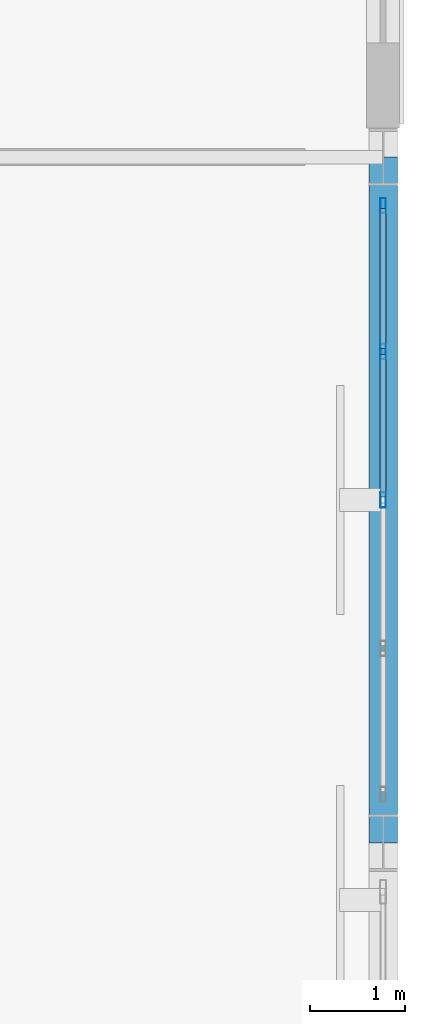
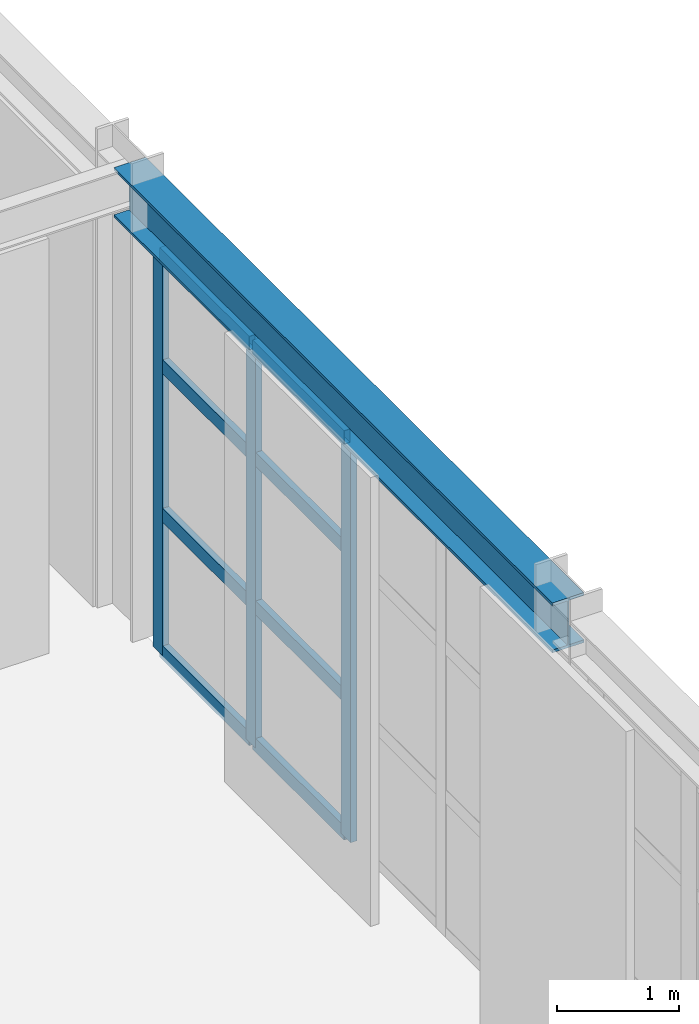
# One storey, part 47 of 83: 11 members, 1 beam, 1 element without a shape of its own.
"""IFC4 building model written with IfcOpenShell, lengths in metres."""

from ifc_helpers import new_model, si_unit, direction, frame, origin, origin_2d, place, context, subcontext, project, spatial, hollow_rectangle, i_section, extrude, material, layer, layer_set, material_profile, profile_set, type_object, element, aggregate, save


model = new_model("IFC4")

# Units and contexts
model_context = context("Model", 3, precision=1e-05, world=origin(), true_north=direction((0.0, 1.0)))
body_context = subcontext(model_context, "Body", "Model", "MODEL_VIEW")
ifc_project = project(units=[si_unit("LENGTHUNIT", "METRE"), si_unit("AREAUNIT", "SQUARE_METRE"), si_unit("VOLUMEUNIT", "CUBIC_METRE"), si_unit("PLANEANGLEUNIT", "RADIAN"), si_unit("MASSUNIT", "GRAM", prefix="KILO")], contexts=[model_context])

# Site, building, storey
site_placement = place(None, origin())
site = spatial("IfcSite", under=ifc_project, at=site_placement, CompositionType="ELEMENT")
building_placement = place(site_placement, origin())
building = spatial("IfcBuilding", under=site, at=building_placement, Name="Solvadek Multi-Sports Hall", CompositionType="ELEMENT")
storey_placement = place(building_placement, origin())
storey = spatial("IfcBuildingStorey", under=building, at=storey_placement, Name="L00", CompositionType="ELEMENT", Elevation=0.0)

# Curtain wall, members
ifc_material_1 = material(Name="Anodised aluminium", Category="aluminium")
ifc_layer = layer(ifc_material_1, 0.159912109375, Name="Anodised aluminium")
ifc_layer_set = layer_set([ifc_layer], Name="Anodised aluminium")
curtain_wall_type = type_object("IfcCurtainWallType", Name="ENV-CW-624X403", PredefinedType="USERDEFINED", material=ifc_layer_set)
curtain_wall_placement = place(storey_placement, origin())
curtain_wall = element("IfcCurtainWall", 1, at=curtain_wall_placement, inside=storey, type_object=curtain_wall_type, Name="L00 Perimeter Bay Curtain Wall #148", ObjectType="CURTAIN WALL", PredefinedType="USERDEFINED")
ifc_material_profile_1 = material_profile(ifc_material_1, hollow_rectangle(XDim=0.06005859375, YDim=0.159912109375, WallThickness=0.00390625, at=origin_2d()), Name="ALU-M 160x60x4")
ifc_profile_set_1 = profile_set([ifc_material_profile_1], Name="Anodised aluminium")
member_type_1 = type_object("IfcMemberType", Name="ENV-CWM-01", PredefinedType="MULLION", material=ifc_profile_set_1)
member_1_placement = place(storey_placement, frame((161.39990234375, 60.0, 0.0), z_axis=(0.0, 0.0, 1.0), x_axis=(-1.0, 0.0, 0.0)))
member_1 = element("IfcMember", 2, at=member_1_placement, type_object=member_type_1, Name="CW-43 mullion 3", PredefinedType="MULLION", context=body_context, shape_type="SweptSolid", body=[
    extrude(hollow_rectangle(XDim=0.06005859375, YDim=0.159912109375, WallThickness=0.00390625, at=origin_2d()), origin(), (0.0, 0.0, 1.0), 4.02490234375),
])
member_2_placement = place(storey_placement, frame((161.39990234375, 61.56005859375, 0.0), z_axis=(0.0, 0.0, 1.0), x_axis=(-1.0, 0.0, 0.0)))
member_2 = element("IfcMember", 3, at=member_2_placement, type_object=member_type_1, Name="CW-43 mullion 4", PredefinedType="MULLION", context=body_context, shape_type="SweptSolid", body=[
    extrude(hollow_rectangle(XDim=0.06005859375, YDim=0.159912109375, WallThickness=0.00390625, at=origin_2d()), origin(), (0.0, 0.0, 1.0), 4.02490234375),
])
member_3_placement = place(storey_placement, frame((161.39990234375, 63.090087890625, 0.0), z_axis=(0.0, 0.0, 1.0), x_axis=(-1.0, 0.0, 0.0)))
member_3 = element("IfcMember", 4, at=member_3_placement, type_object=member_type_1, Name="CW-43 mullion 5", PredefinedType="MULLION", context=body_context, shape_type="SweptSolid", body=[
    extrude(hollow_rectangle(XDim=0.06005859375, YDim=0.159912109375, WallThickness=0.00390625, at=origin_2d()), origin(), (0.0, 0.0, 1.0), 4.02490234375),
])
ifc_material_profile_2 = material_profile(ifc_material_1, hollow_rectangle(XDim=0.06005859375, YDim=0.139892578125, WallThickness=0.00390625, at=origin_2d()), Name="ALU-T 140x60x4")
ifc_profile_set_2 = profile_set([ifc_material_profile_2], Name="Anodised aluminium")
member_type_2 = type_object("IfcMemberType", Name="ENV-CWT-02", PredefinedType="USERDEFINED", material=ifc_profile_set_2)
member_4_placement = place(storey_placement, frame((161.39990234375, 60.030029296875, 0.030029296875), z_axis=(0.0, 1.0, 0.0), x_axis=(-1.0, 0.0, 0.0)))
member_4 = element("IfcMember", 5, at=member_4_placement, type_object=member_type_2, Name="CW-43 transom 3.1", ObjectType="TRANSOM", PredefinedType="USERDEFINED", context=body_context, shape_type="SweptSolid", body=[
    extrude(hollow_rectangle(XDim=0.06005859375, YDim=0.139892578125, WallThickness=0.00390625, at=origin_2d()), origin(), (0.0, 0.0, 1.0), 1.5),
])
member_5_placement = place(storey_placement, frame((161.39990234375, 60.030029296875, 1.408935546875), z_axis=(0.0, 1.0, 0.0), x_axis=(-1.0, 0.0, 0.0)))
member_5 = element("IfcMember", 6, at=member_5_placement, type_object=member_type_2, Name="CW-43 transom 3.2", ObjectType="TRANSOM", PredefinedType="USERDEFINED", context=body_context, shape_type="SweptSolid", body=[
    extrude(hollow_rectangle(XDim=0.06005859375, YDim=0.139892578125, WallThickness=0.00390625, at=origin_2d()), origin(), (0.0, 0.0, 1.0), 1.5),
])
member_6_placement = place(storey_placement, frame((161.39990234375, 60.030029296875, 2.89794921875), z_axis=(0.0, 1.0, 0.0), x_axis=(-1.0, 0.0, 0.0)))
member_6 = element("IfcMember", 7, at=member_6_placement, type_object=member_type_2, Name="CW-43 transom 3.3", ObjectType="TRANSOM", PredefinedType="USERDEFINED", context=body_context, shape_type="SweptSolid", body=[
    extrude(hollow_rectangle(XDim=0.06005859375, YDim=0.139892578125, WallThickness=0.00390625, at=origin_2d()), origin(), (0.0, 0.0, 1.0), 1.5),
])
member_7_placement = place(storey_placement, frame((161.39990234375, 60.030029296875, 3.9951171875), z_axis=(0.0, 1.0, 0.0), x_axis=(-1.0, 0.0, 0.0)))
member_7 = element("IfcMember", 8, at=member_7_placement, type_object=member_type_2, Name="CW-43 transom 3.4", ObjectType="TRANSOM", PredefinedType="USERDEFINED", context=body_context, shape_type="SweptSolid", body=[
    extrude(hollow_rectangle(XDim=0.06005859375, YDim=0.139892578125, WallThickness=0.00390625, at=origin_2d()), origin(), (0.0, 0.0, 1.0), 1.5),
])
member_8_placement = place(storey_placement, frame((161.39990234375, 61.590087890625, 0.030029296875), z_axis=(0.0, 1.0, 0.0), x_axis=(-1.0, 0.0, 0.0)))
member_8 = element("IfcMember", 9, at=member_8_placement, type_object=member_type_2, Name="CW-43 transom 4.1", ObjectType="TRANSOM", PredefinedType="USERDEFINED", context=body_context, shape_type="SweptSolid", body=[
    extrude(hollow_rectangle(XDim=0.06005859375, YDim=0.139892578125, WallThickness=0.00390625, at=origin_2d()), origin(), (0.0, 0.0, 1.0), 1.469970703125),
])
member_9_placement = place(storey_placement, frame((161.39990234375, 61.590087890625, 1.408935546875), z_axis=(0.0, 1.0, 0.0), x_axis=(-1.0, 0.0, 0.0)))
member_9 = element("IfcMember", 10, at=member_9_placement, type_object=member_type_2, Name="CW-43 transom 4.2", ObjectType="TRANSOM", PredefinedType="USERDEFINED", context=body_context, shape_type="SweptSolid", body=[
    extrude(hollow_rectangle(XDim=0.06005859375, YDim=0.139892578125, WallThickness=0.00390625, at=origin_2d()), origin(), (0.0, 0.0, 1.0), 1.469970703125),
])
member_10_placement = place(storey_placement, frame((161.39990234375, 61.590087890625, 2.89794921875), z_axis=(0.0, 1.0, 0.0), x_axis=(-1.0, 0.0, 0.0)))
member_10 = element("IfcMember", 11, at=member_10_placement, type_object=member_type_2, Name="CW-43 transom 4.3", ObjectType="TRANSOM", PredefinedType="USERDEFINED", context=body_context, shape_type="SweptSolid", body=[
    extrude(hollow_rectangle(XDim=0.06005859375, YDim=0.139892578125, WallThickness=0.00390625, at=origin_2d()), origin(), (0.0, 0.0, 1.0), 1.469970703125),
])
member_11_placement = place(storey_placement, frame((161.39990234375, 61.590087890625, 3.9951171875), z_axis=(0.0, 1.0, 0.0), x_axis=(-1.0, 0.0, 0.0)))
member_11 = element("IfcMember", 12, at=member_11_placement, type_object=member_type_2, Name="CW-43 transom 4.4", ObjectType="TRANSOM", PredefinedType="USERDEFINED", context=body_context, shape_type="SweptSolid", body=[
    extrude(hollow_rectangle(XDim=0.06005859375, YDim=0.139892578125, WallThickness=0.00390625, at=origin_2d()), origin(), (0.0, 0.0, 1.0), 1.469970703125),
])
aggregate(curtain_wall, [member_1, member_2, member_3, member_4, member_5, member_6, member_7, member_8, member_9, member_10, member_11])

# Beam
ifc_material_2 = material(Name="Steel E350 (350 MPa)", Category="steel")
ifc_material_profile_3 = material_profile(ifc_material_2, i_section(OverallWidth=0.300048828125, OverallDepth=0.5, WebThickness=0.014404296875, FlangeThickness=0.028076171875, at=origin_2d()), Name="WPB 500")
ifc_profile_set_3 = profile_set([ifc_material_profile_3], Name="Steel E350 (350 MPa)")
beam_type = type_object("IfcBeamType", Name="STR-SPN-WPB500", PredefinedType="SPANDREL", material=ifc_profile_set_3)
beam_placement = place(storey_placement, frame((161.39990234375, 56.39990234375, 4.330078125), z_axis=(0.0, 1.0, 0.0), x_axis=(-1.0, 0.0, 0.0)))
element("IfcBeam", 13, at=beam_placement, inside=storey, type_object=beam_type, Name="L00 Girder SP-01 #942", PredefinedType="SPANDREL", context=body_context, shape_type="SweptSolid", body=[
    extrude(i_section(OverallWidth=0.300048828125, OverallDepth=0.5, WebThickness=0.014404296875, FlangeThickness=0.028076171875, at=origin_2d()), origin(), (0.0, 0.0, 1.0), 7.2001953125),
])

save(model, "model.ifc")
